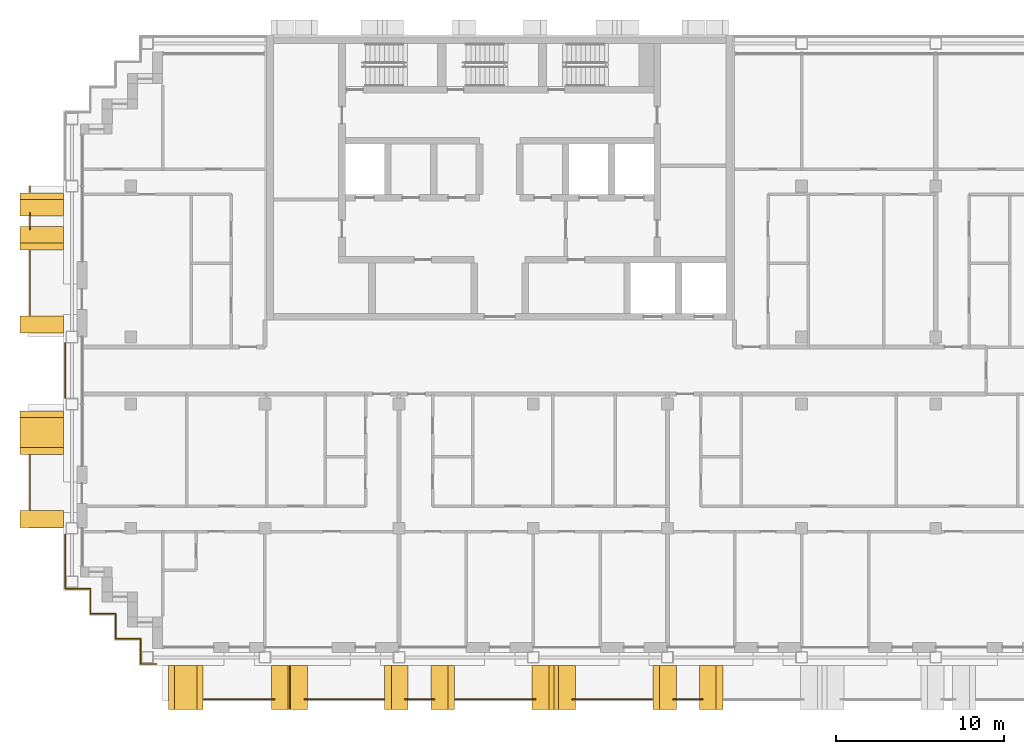
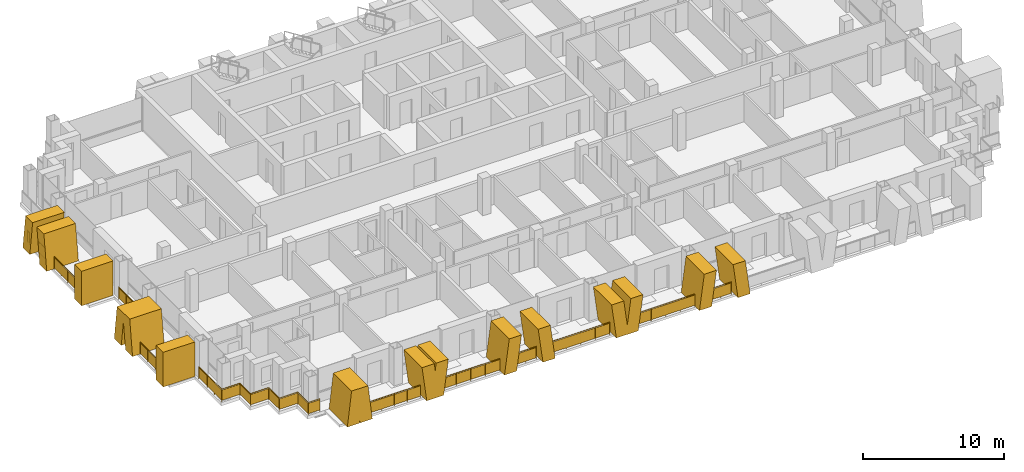
# One storey, part 13 of 16: 13 railings, 12 shading devices.
"""IFC4 building model written with IfcOpenShell, lengths in metres."""

from ifc_helpers import new_model, si_unit, direction, frame, origin, origin_2d, place, context, subcontext, project, spatial, polyline, rectangle, circle, outline, extrude, material, layer, layer_set, type_object, element, save


model = new_model("IFC4")

# Units and contexts
model_context = context("Model", 3, precision=1e-05, world=origin(), true_north=direction((0.0, 1.0)))
body_context = subcontext(model_context, "Body", "Model", "MODEL_VIEW")
ifc_project = project(units=[si_unit("LENGTHUNIT", "METRE"), si_unit("AREAUNIT", "SQUARE_METRE"), si_unit("VOLUMEUNIT", "CUBIC_METRE"), si_unit("PLANEANGLEUNIT", "RADIAN"), si_unit("MASSUNIT", "GRAM", prefix="KILO")], contexts=[model_context])

# Site, building, storey
site_placement = place(None, origin())
site = spatial("IfcSite", under=ifc_project, at=site_placement, CompositionType="ELEMENT")
building_placement = place(site_placement, origin())
building = spatial("IfcBuilding", under=site, at=building_placement, Name="Vidyagriha Tower", CompositionType="ELEMENT")
storey_placement = place(building_placement, frame((0.0, 0.0, 168.5)))
storey = spatial("IfcBuildingStorey", under=building, at=storey_placement, Name="L43", CompositionType="ELEMENT", Elevation=168.5)

# Railings
ifc_material_1 = material(Name="Steel ASTM A500 Grade C black painted", Category="steel")
railing_type_1 = type_object("IfcRailingType", Name="Balcony guard 1100", PredefinedType="BALUSTRADE", material=ifc_material_1)
railing_1_placement = place(storey_placement, frame((-28.0, 11.0, 0.0)))
element("IfcRailing", 1, at=railing_1_placement, inside=storey, type_object=railing_type_1, Name="Balcony guard L43 R16.1-1", PredefinedType="BALUSTRADE", context=body_context, shape_type="SweptSolid", body=[
    extrude(circle(Radius=0.02490234375, at=origin_2d()), frame((0.0, 0.0, 1.0751953125), z_axis=(0.0, -1.0, 0.0), x_axis=(1.0, 0.0, 0.0)), (0.0, 0.0, 1.0), 0.35009765625),
    extrude(circle(Radius=0.02001953125, at=origin_2d()), origin(), (0.0, 0.0, 1.0), 1.050048828125),
    extrude(circle(Radius=0.02001953125, at=origin_2d()), frame((0.0, -0.35009765625, 0.0)), (0.0, 0.0, 1.0), 1.050048828125),
    extrude(rectangle(XDim=0.010009765625, YDim=0.900146484375, at=origin_2d()), frame((0.0, 0.0, 0.550048828125), z_axis=(0.0, -1.0, 0.0), x_axis=(1.0, 0.0, 0.0)), (0.0, 0.0, 1.0), 0.35009765625),
])
railing_2_placement = place(storey_placement, frame((-28.0, 9.396728515625, 0.0)))
element("IfcRailing", 2, at=railing_2_placement, inside=storey, type_object=railing_type_1, Name="Balcony guard L43 R16.1-2", PredefinedType="BALUSTRADE", context=body_context, shape_type="SweptSolid", body=[
    extrude(circle(Radius=0.02490234375, at=origin_2d()), frame((0.0, 0.0, 1.0751953125), z_axis=(0.0, -1.0, 0.0), x_axis=(1.0, 0.0, 0.0)), (0.0, 0.0, 1.0), 0.993408203125),
    extrude(circle(Radius=0.02001953125, at=origin_2d()), origin(), (0.0, 0.0, 1.0), 1.050048828125),
    extrude(circle(Radius=0.02001953125, at=origin_2d()), frame((0.0, -0.993408203125, 0.0)), (0.0, 0.0, 1.0), 1.050048828125),
    extrude(rectangle(XDim=0.010009765625, YDim=0.900146484375, at=origin_2d()), frame((0.0, 0.0, 0.550048828125), z_axis=(0.0, -1.0, 0.0), x_axis=(1.0, 0.0, 0.0)), (0.0, 0.0, 1.0), 0.993408203125),
])
railing_3_placement = place(storey_placement, frame((-28.0, 7.14990234375, 0.0)))
element("IfcRailing", 3, at=railing_3_placement, inside=storey, type_object=railing_type_1, Name="Balcony guard L43 R16.1-3", PredefinedType="BALUSTRADE", context=body_context, shape_type="SweptSolid", body=[
    extrude(circle(Radius=0.02490234375, at=origin_2d()), frame((0.0, 0.0, 1.0751953125), z_axis=(0.0, -1.0, 0.0), x_axis=(1.0, 0.0, 0.0)), (0.0, 0.0, 1.0), 3.849853515625),
    extrude(circle(Radius=0.02001953125, at=origin_2d()), origin(), (0.0, 0.0, 1.0), 1.050048828125),
    extrude(circle(Radius=0.02001953125, at=origin_2d()), frame((0.0, -0.96240234375, 0.0)), (0.0, 0.0, 1.0), 1.050048828125),
    extrude(circle(Radius=0.02001953125, at=origin_2d()), frame((0.0, -1.9248046875, 0.0)), (0.0, 0.0, 1.0), 1.050048828125),
    extrude(circle(Radius=0.02001953125, at=origin_2d()), frame((0.0, -2.887451171875, 0.0)), (0.0, 0.0, 1.0), 1.050048828125),
    extrude(circle(Radius=0.02001953125, at=origin_2d()), frame((0.0, -3.849853515625, 0.0)), (0.0, 0.0, 1.0), 1.050048828125),
    extrude(rectangle(XDim=0.010009765625, YDim=0.900146484375, at=origin_2d()), frame((0.0, 0.0, 0.550048828125), z_axis=(0.0, -1.0, 0.0), x_axis=(1.0, 0.0, 0.0)), (0.0, 0.0, 1.0), 3.849853515625),
])
railing_4_placement = place(storey_placement, frame((-28.0, -5.050048828125, 0.0)))
element("IfcRailing", 4, at=railing_4_placement, inside=storey, type_object=railing_type_1, Name="Balcony guard L43 R16.2-1", PredefinedType="BALUSTRADE", context=body_context, shape_type="SweptSolid", body=[
    extrude(circle(Radius=0.02490234375, at=origin_2d()), frame((0.0, 0.0, 1.0751953125), z_axis=(0.0, -1.0, 0.0), x_axis=(1.0, 0.0, 0.0)), (0.0, 0.0, 1.0), 3.25),
    extrude(circle(Radius=0.02001953125, at=origin_2d()), origin(), (0.0, 0.0, 1.0), 1.050048828125),
    extrude(circle(Radius=0.02001953125, at=origin_2d()), frame((0.0, -1.083251953125, 0.0)), (0.0, 0.0, 1.0), 1.050048828125),
    extrude(circle(Radius=0.02001953125, at=origin_2d()), frame((0.0, -2.166748046875, 0.0)), (0.0, 0.0, 1.0), 1.050048828125),
    extrude(circle(Radius=0.02001953125, at=origin_2d()), frame((0.0, -3.25, 0.0)), (0.0, 0.0, 1.0), 1.050048828125),
    extrude(rectangle(XDim=0.010009765625, YDim=0.900146484375, at=origin_2d()), frame((0.0, 0.0, 0.550048828125), z_axis=(0.0, -1.0, 0.0), x_axis=(1.0, 0.0, 0.0)), (0.0, 0.0, 1.0), 3.25),
])
railing_5_placement = place(storey_placement, frame((-17.64990234375, -19.60009765625, 0.0)))
element("IfcRailing", 5, at=railing_5_placement, inside=storey, type_object=railing_type_1, Name="Balcony guard L43 R23.1-1", PredefinedType="BALUSTRADE", context=body_context, shape_type="SweptSolid", body=[
    extrude(circle(Radius=0.02490234375, at=origin_2d()), frame((0.0, 0.0, 1.0751953125), z_axis=(1.0, 0.0, 0.0), x_axis=(0.0, 1.0, 0.0)), (0.0, 0.0, 1.0), 4.22119140625),
    extrude(circle(Radius=0.02001953125, at=origin_2d()), origin(), (0.0, 0.0, 1.0), 1.050048828125),
    extrude(circle(Radius=0.02001953125, at=origin_2d()), frame((1.05517578125, 0.0, 0.0)), (0.0, 0.0, 1.0), 1.050048828125),
    extrude(circle(Radius=0.02001953125, at=origin_2d()), frame((2.110595703125, 0.0, 0.0)), (0.0, 0.0, 1.0), 1.050048828125),
    extrude(circle(Radius=0.02001953125, at=origin_2d()), frame((3.166015625, 0.0, 0.0)), (0.0, 0.0, 1.0), 1.050048828125),
    extrude(circle(Radius=0.02001953125, at=origin_2d()), frame((4.22119140625, 0.0, 0.0)), (0.0, 0.0, 1.0), 1.050048828125),
    extrude(rectangle(XDim=0.010009765625, YDim=0.900146484375, at=origin_2d()), frame((0.0, 0.0, 0.550048828125), z_axis=(1.0, 0.0, 0.0), x_axis=(0.0, 1.0, 0.0)), (0.0, 0.0, 1.0), 4.22119140625),
])
railing_6_placement = place(storey_placement, frame((-11.646484375, -19.60009765625, 0.0)))
element("IfcRailing", 6, at=railing_6_placement, inside=storey, type_object=railing_type_1, Name="Balcony guard L43 R23.1-2", PredefinedType="BALUSTRADE", context=body_context, shape_type="SweptSolid", body=[
    extrude(circle(Radius=0.02490234375, at=origin_2d()), frame((0.0, 0.0, 1.0751953125), z_axis=(1.0, 0.0, 0.0), x_axis=(0.0, 1.0, 0.0)), (0.0, 0.0, 1.0), 4.741455078125),
    extrude(circle(Radius=0.02001953125, at=origin_2d()), origin(), (0.0, 0.0, 1.0), 1.050048828125),
    extrude(circle(Radius=0.02001953125, at=origin_2d()), frame((1.185302734375, 0.0, 0.0)), (0.0, 0.0, 1.0), 1.050048828125),
    extrude(circle(Radius=0.02001953125, at=origin_2d()), frame((2.37060546875, 0.0, 0.0)), (0.0, 0.0, 1.0), 1.050048828125),
    extrude(circle(Radius=0.02001953125, at=origin_2d()), frame((3.55615234375, 0.0, 0.0)), (0.0, 0.0, 1.0), 1.050048828125),
    extrude(circle(Radius=0.02001953125, at=origin_2d()), frame((4.741455078125, 0.0, 0.0)), (0.0, 0.0, 1.0), 1.050048828125),
    extrude(rectangle(XDim=0.010009765625, YDim=0.900146484375, at=origin_2d()), frame((0.0, 0.0, 0.550048828125), z_axis=(1.0, 0.0, 0.0), x_axis=(0.0, 1.0, 0.0)), (0.0, 0.0, 1.0), 4.741455078125),
])
railing_7_placement = place(storey_placement, frame((-5.653564453125, -19.60009765625, 0.0)))
element("IfcRailing", 7, at=railing_7_placement, inside=storey, type_object=railing_type_1, Name="Balcony guard L43 R23.1-3", PredefinedType="BALUSTRADE", context=body_context, shape_type="SweptSolid", body=[
    extrude(circle(Radius=0.02490234375, at=origin_2d()), frame((0.0, 0.0, 1.0751953125), z_axis=(1.0, 0.0, 0.0), x_axis=(0.0, 1.0, 0.0)), (0.0, 0.0, 1.0), 1.757080078125),
    extrude(circle(Radius=0.02001953125, at=origin_2d()), origin(), (0.0, 0.0, 1.0), 1.050048828125),
    extrude(circle(Radius=0.02001953125, at=origin_2d()), frame((0.87841796875, 0.0, 0.0)), (0.0, 0.0, 1.0), 1.050048828125),
    extrude(circle(Radius=0.02001953125, at=origin_2d()), frame((1.757080078125, 0.0, 0.0)), (0.0, 0.0, 1.0), 1.050048828125),
    extrude(rectangle(XDim=0.010009765625, YDim=0.900146484375, at=origin_2d()), frame((0.0, 0.0, 0.550048828125), z_axis=(1.0, 0.0, 0.0), x_axis=(0.0, 1.0, 0.0)), (0.0, 0.0, 1.0), 1.757080078125),
])
railing_8_placement = place(storey_placement, frame((-2.64501953125, -19.60009765625, 0.0)))
element("IfcRailing", 8, at=railing_8_placement, inside=storey, type_object=railing_type_1, Name="Balcony guard L43 R23.1-4", PredefinedType="BALUSTRADE", context=body_context, shape_type="SweptSolid", body=[
    extrude(circle(Radius=0.02490234375, at=origin_2d()), frame((0.0, 0.0, 1.0751953125), z_axis=(1.0, 0.0, 0.0), x_axis=(0.0, 1.0, 0.0)), (0.0, 0.0, 1.0), 4.773681640625),
    extrude(circle(Radius=0.02001953125, at=origin_2d()), origin(), (0.0, 0.0, 1.0), 1.050048828125),
    extrude(circle(Radius=0.02001953125, at=origin_2d()), frame((1.193359375, 0.0, 0.0)), (0.0, 0.0, 1.0), 1.050048828125),
    extrude(circle(Radius=0.02001953125, at=origin_2d()), frame((2.38671875, 0.0, 0.0)), (0.0, 0.0, 1.0), 1.050048828125),
    extrude(circle(Radius=0.02001953125, at=origin_2d()), frame((3.580322265625, 0.0, 0.0)), (0.0, 0.0, 1.0), 1.050048828125),
    extrude(circle(Radius=0.02001953125, at=origin_2d()), frame((4.773681640625, 0.0, 0.0)), (0.0, 0.0, 1.0), 1.050048828125),
    extrude(rectangle(XDim=0.010009765625, YDim=0.900146484375, at=origin_2d()), frame((0.0, 0.0, 0.550048828125), z_axis=(1.0, 0.0, 0.0), x_axis=(0.0, 1.0, 0.0)), (0.0, 0.0, 1.0), 4.773681640625),
])
railing_9_placement = place(storey_placement, frame((4.321533203125, -19.60009765625, 0.0)))
element("IfcRailing", 9, at=railing_9_placement, inside=storey, type_object=railing_type_1, Name="Balcony guard L43 R23.1-5", PredefinedType="BALUSTRADE", context=body_context, shape_type="SweptSolid", body=[
    extrude(circle(Radius=0.02490234375, at=origin_2d()), frame((0.0, 0.0, 1.0751953125), z_axis=(1.0, 0.0, 0.0), x_axis=(0.0, 1.0, 0.0)), (0.0, 0.0, 1.0), 4.7734375),
    extrude(circle(Radius=0.02001953125, at=origin_2d()), origin(), (0.0, 0.0, 1.0), 1.050048828125),
    extrude(circle(Radius=0.02001953125, at=origin_2d()), frame((1.193359375, 0.0, 0.0)), (0.0, 0.0, 1.0), 1.050048828125),
    extrude(circle(Radius=0.02001953125, at=origin_2d()), frame((2.38671875, 0.0, 0.0)), (0.0, 0.0, 1.0), 1.050048828125),
    extrude(circle(Radius=0.02001953125, at=origin_2d()), frame((3.580078125, 0.0, 0.0)), (0.0, 0.0, 1.0), 1.050048828125),
    extrude(circle(Radius=0.02001953125, at=origin_2d()), frame((4.7734375, 0.0, 0.0)), (0.0, 0.0, 1.0), 1.050048828125),
    extrude(rectangle(XDim=0.010009765625, YDim=0.900146484375, at=origin_2d()), frame((0.0, 0.0, 0.550048828125), z_axis=(1.0, 0.0, 0.0), x_axis=(0.0, 1.0, 0.0)), (0.0, 0.0, 1.0), 4.7734375),
])
railing_10_placement = place(storey_placement, frame((10.346435546875, -19.60009765625, 0.0)))
element("IfcRailing", 10, at=railing_10_placement, inside=storey, type_object=railing_type_1, Name="Balcony guard L43 R23.1-6", PredefinedType="BALUSTRADE", context=body_context, shape_type="SweptSolid", body=[
    extrude(circle(Radius=0.02490234375, at=origin_2d()), frame((0.0, 0.0, 1.0751953125), z_axis=(1.0, 0.0, 0.0), x_axis=(0.0, 1.0, 0.0)), (0.0, 0.0, 1.0), 1.757080078125),
    extrude(circle(Radius=0.02001953125, at=origin_2d()), origin(), (0.0, 0.0, 1.0), 1.050048828125),
    extrude(circle(Radius=0.02001953125, at=origin_2d()), frame((0.87841796875, 0.0, 0.0)), (0.0, 0.0, 1.0), 1.050048828125),
    extrude(circle(Radius=0.02001953125, at=origin_2d()), frame((1.757080078125, 0.0, 0.0)), (0.0, 0.0, 1.0), 1.050048828125),
    extrude(rectangle(XDim=0.010009765625, YDim=0.900146484375, at=origin_2d()), frame((0.0, 0.0, 0.550048828125), z_axis=(1.0, 0.0, 0.0), x_axis=(0.0, 1.0, 0.0)), (0.0, 0.0, 1.0), 1.757080078125),
])

# Shading devices
ifc_material_2 = material(Name="Precast concrete C40/50 with buff brick facing", Category="concrete")
ifc_layer_1 = layer(ifc_material_2, 1.0)
ifc_layer_set_1 = layer_set([ifc_layer_1], Name="Precast concrete C40/50 with buff brick facing")
shading_device_type_1 = type_object("IfcShadingDeviceType", Name="Brick-faced blade fin arm leaning 8 degrees", PredefinedType="USERDEFINED", material=ifc_layer_set_1)
shading_device_1_placement = place(storey_placement, frame((-27.300048828125, 10.60009765625, 0.0), z_axis=(0.0, 0.0, 1.0), x_axis=(0.0, -1.0, 0.0)))
element("IfcShadingDevice", 11, at=shading_device_1_placement, inside=storey, type_object=shading_device_type_1, Name="Leaning blade fin L43 R16.310a", ObjectType="BLADE FIN", PredefinedType="USERDEFINED", context=body_context, shape_type="SweptSolid", body=[
    extrude(outline(polyline([(0.0, 0.0), (1.0, 0.0), (1.39990234375, 3.0), (0.39990234375, 3.0), (0.0, 0.0)])), frame((0.0, 1.300048828125, 0.0), z_axis=(0.0, -1.0, 0.0), x_axis=(1.0, 0.0, 0.0)), (0.0, 0.0, 1.0), 2.60009765625),
])
shading_device_2_placement = place(storey_placement, frame((-27.300048828125, 8.60009765625, 0.0), z_axis=(0.0, 0.0, 1.0), x_axis=(0.0, -1.0, 0.0)))
element("IfcShadingDevice", 12, at=shading_device_2_placement, inside=storey, type_object=shading_device_type_1, Name="Leaning blade fin L43 R16.310b", ObjectType="BLADE FIN", PredefinedType="USERDEFINED", context=body_context, shape_type="SweptSolid", body=[
    extrude(outline(polyline([(0.39990234375, 0.0), (1.39990234375, 0.0), (1.0, 3.0), (0.0, 3.0), (0.39990234375, 0.0)])), frame((0.0, 1.300048828125, 0.0), z_axis=(0.0, -1.0, 0.0), x_axis=(1.0, 0.0, 0.0)), (0.0, 0.0, 1.0), 2.60009765625),
])
shading_device_3_placement = place(storey_placement, frame((-6.85498046875, -18.89990234375, 0.0)))
element("IfcShadingDevice", 13, at=shading_device_3_placement, inside=storey, type_object=shading_device_type_1, Name="Leaning blade fin L43 R23.1410a", ObjectType="BLADE FIN", PredefinedType="USERDEFINED", context=body_context, shape_type="SweptSolid", body=[
    extrude(outline(polyline([(0.0, 0.0), (1.0, 0.0), (1.39501953125, 3.0), (0.39501953125, 3.0), (0.0, 0.0)])), frame((0.0, 1.300048828125, 0.0), z_axis=(0.0, -1.0, 0.0), x_axis=(1.0, 0.0, 0.0)), (0.0, 0.0, 1.0), 2.60009765625),
])
shading_device_4_placement = place(storey_placement, frame((-4.090087890625, -18.89990234375, 0.0)))
element("IfcShadingDevice", 14, at=shading_device_4_placement, inside=storey, type_object=shading_device_type_1, Name="Leaning blade fin L43 R23.1410b", ObjectType="BLADE FIN", PredefinedType="USERDEFINED", context=body_context, shape_type="SweptSolid", body=[
    extrude(outline(polyline([(0.39501953125, 0.0), (1.39501953125, 0.0), (1.0, 3.0), (0.0, 3.0), (0.39501953125, 0.0)])), frame((0.0, 1.300048828125, 0.0), z_axis=(0.0, -1.0, 0.0), x_axis=(1.0, 0.0, 0.0)), (0.0, 0.0, 1.0), 2.60009765625),
])
shading_device_5_placement = place(storey_placement, frame((9.14501953125, -18.89990234375, 0.0)))
element("IfcShadingDevice", 15, at=shading_device_5_placement, inside=storey, type_object=shading_device_type_1, Name="Leaning blade fin L43 R23.3010a", ObjectType="BLADE FIN", PredefinedType="USERDEFINED", context=body_context, shape_type="SweptSolid", body=[
    extrude(outline(polyline([(0.0, 0.0), (1.0, 0.0), (1.39501953125, 3.0), (0.39501953125, 3.0), (0.0, 0.0)])), frame((0.0, 1.300048828125, 0.0), z_axis=(0.0, -1.0, 0.0), x_axis=(1.0, 0.0, 0.0)), (0.0, 0.0, 1.0), 2.60009765625),
])
shading_device_6_placement = place(storey_placement, frame((11.909912109375, -18.89990234375, 0.0)))
element("IfcShadingDevice", 16, at=shading_device_6_placement, inside=storey, type_object=shading_device_type_1, Name="Leaning blade fin L43 R23.3010b", ObjectType="BLADE FIN", PredefinedType="USERDEFINED", context=body_context, shape_type="SweptSolid", body=[
    extrude(outline(polyline([(0.39501953125, 0.0), (1.39501953125, 0.0), (1.0, 3.0), (0.0, 3.0), (0.39501953125, 0.0)])), frame((0.0, 1.300048828125, 0.0), z_axis=(0.0, -1.0, 0.0), x_axis=(1.0, 0.0, 0.0)), (0.0, 0.0, 1.0), 2.60009765625),
])
ifc_material_3 = material(Name="Precast concrete C40/50 with buff brick facing", Category="concrete")
ifc_layer_2 = layer(ifc_material_3, 1.0)
ifc_layer_set_2 = layer_set([ifc_layer_2], Name="Precast concrete C40/50 with buff brick facing")
shading_device_type_2 = type_object("IfcShadingDeviceType", Name="Brick-faced blade fin forking 8 degrees", PredefinedType="USERDEFINED", material=ifc_layer_set_2)
shading_device_7_placement = place(storey_placement, frame((-27.300048828125, -2.39990234375, 0.0), z_axis=(0.0, 0.0, 1.0), x_axis=(0.0, -1.0, 0.0)))
element("IfcShadingDevice", 17, at=shading_device_7_placement, inside=storey, type_object=shading_device_type_2, Name="Forked blade fin L43 R16.1610a", ObjectType="BLADE FIN", PredefinedType="USERDEFINED", context=body_context, shape_type="SweptSolid", body=[
    extrude(outline(polyline([(1.0, 0.0), (1.300048828125, 2.25), (1.60009765625, 0.0), (2.60009765625, 0.0), (2.199951171875, 3.0), (0.39990234375, 3.0), (0.0, 0.0), (1.0, 0.0)])), frame((0.0, 1.300048828125, 0.0), z_axis=(0.0, -1.0, 0.0), x_axis=(1.0, 0.0, 0.0)), (0.0, 0.0, 1.0), 2.60009765625),
])
shading_device_8_placement = place(storey_placement, frame((-19.75, -18.89990234375, 0.0)))
element("IfcShadingDevice", 18, at=shading_device_8_placement, inside=storey, type_object=shading_device_type_2, Name="Forked blade fin L43 R23.0a", ObjectType="BLADE FIN", PredefinedType="USERDEFINED", context=body_context, shape_type="SweptSolid", body=[
    extrude(outline(polyline([(1.0, 0.0), (1.02490234375, 0.21435546875), (1.050048828125, 0.0), (2.050048828125, 0.0), (1.699951171875, 3.0), (0.35009765625, 3.0), (0.0, 0.0), (1.0, 0.0)])), frame((0.0, 1.300048828125, 0.0), z_axis=(0.0, -1.0, 0.0), x_axis=(1.0, 0.0, 0.0)), (0.0, 0.0, 1.0), 2.60009765625),
])
shading_device_9_placement = place(storey_placement, frame((-13.61669921875, -18.89990234375, 0.0)))
element("IfcShadingDevice", 19, at=shading_device_9_placement, inside=storey, type_object=shading_device_type_2, Name="Forked blade fin L43 R23.610a", ObjectType="BLADE FIN", PredefinedType="USERDEFINED", context=body_context, shape_type="SweptSolid", body=[
    extrude(outline(polyline([(0.385986328125, 0.0), (1.772216796875, 0.0), (2.158447265625, 3.0), (1.158447265625, 3.0), (1.0791015625, 2.385009765625), (1.0, 3.0), (0.0, 3.0), (0.385986328125, 0.0)])), frame((0.0, 1.300048828125, 0.0), z_axis=(0.0, -1.0, 0.0), x_axis=(1.0, 0.0, 0.0)), (0.0, 0.0, 1.0), 2.60009765625),
])
shading_device_10_placement = place(storey_placement, frame((1.93505859375, -18.89990234375, 0.0)))
element("IfcShadingDevice", 20, at=shading_device_10_placement, inside=storey, type_object=shading_device_type_2, Name="Forked blade fin L43 R23.2210a", ObjectType="BLADE FIN", PredefinedType="USERDEFINED", context=body_context, shape_type="SweptSolid", body=[
    extrude(outline(polyline([(0.39501953125, 0.0), (2.18505859375, 0.0), (2.580078125, 3.0), (1.580078125, 3.0), (1.2900390625, 0.797607421875), (1.0, 3.0), (0.0, 3.0), (0.39501953125, 0.0)])), frame((0.0, 1.300048828125, 0.0), z_axis=(0.0, -1.0, 0.0), x_axis=(1.0, 0.0, 0.0)), (0.0, 0.0, 1.0), 2.60009765625),
])
ifc_material_4 = material(Name="Precast concrete C40/50 with buff brick facing", Category="concrete")
ifc_layer_3 = layer(ifc_material_4, 1.0)
ifc_layer_set_3 = layer_set([ifc_layer_3], Name="Precast concrete C40/50 with buff brick facing")
shading_device_type_3 = type_object("IfcShadingDeviceType", Name="Brick-faced blade fin stem 1000", PredefinedType="USERDEFINED", material=ifc_layer_set_3)
for number, where, z_axis, x_axis, name in (
    (21, (-27.300048828125, 3.25, 0.0), (0.0, 0.0, 1.0), (0.0, -1.0, 0.0), "Stem blade fin L43 R16.1210a"),
    (22, (-27.300048828125, -8.35009765625, 0.0), (0.0, 0.0, 1.0), (0.0, -1.0, 0.0), "Stem blade fin L43 R16.2350a"),
):
    element("IfcShadingDevice", number, at=place(storey_placement, frame(where, z_axis=z_axis, x_axis=x_axis)), inside=storey, type_object=shading_device_type_3, Name=name, ObjectType="BLADE FIN", PredefinedType="USERDEFINED", context=body_context, shape_type="SweptSolid", body=[
        extrude(outline(polyline([(0.0, 0.0), (1.0, 0.0), (1.0, 3.0), (0.0, 3.0), (0.0, 0.0)])), frame((0.0, 1.300048828125, 0.0), z_axis=(0.0, -1.0, 0.0), x_axis=(1.0, 0.0, 0.0)), (0.0, 0.0, 1.0), 2.60009765625),
    ])

# Railings
ifc_material_5 = material(Name="Steel ASTM A500 Grade C black painted", Category="steel")
railing_type_2 = type_object("IfcRailingType", Name="Gallery guard 1100", PredefinedType="GUARDRAIL", material=ifc_material_5)
railing_11_placement = place(storey_placement, frame((-20.4599609375, -17.5, 0.0)))
element("IfcRailing", 23, at=railing_11_placement, inside=storey, type_object=railing_type_2, Name="Gallery guard L43 1", PredefinedType="GUARDRAIL", context=body_context, shape_type="SweptSolid", body=[
    extrude(circle(Radius=0.02490234375, at=origin_2d()), frame((0.0, 0.0, 1.0751953125), z_axis=(-1.0, 0.0, 0.0), x_axis=(0.0, -1.0, 0.0)), (0.0, 0.0, 1.0), 0.93994140625),
    extrude(circle(Radius=0.02490234375, at=origin_2d()), frame((-0.93994140625, 0.0, 1.0751953125), z_axis=(0.0, 1.0, 0.0), x_axis=(-1.0, 0.0, 0.0)), (0.0, 0.0, 1.0), 1.5),
    extrude(circle(Radius=0.02490234375, at=origin_2d()), frame((-0.93994140625, 1.5, 1.0751953125), z_axis=(-1.0, 0.0, 0.0), x_axis=(0.0, -1.0, 0.0)), (0.0, 0.0, 1.0), 1.5),
    extrude(circle(Radius=0.02490234375, at=origin_2d()), frame((-2.43994140625, 1.5, 1.0751953125), z_axis=(0.0, 1.0, 0.0), x_axis=(-1.0, 0.0, 0.0)), (0.0, 0.0, 1.0), 1.5),
    extrude(circle(Radius=0.02490234375, at=origin_2d()), frame((-2.43994140625, 3.0, 1.0751953125), z_axis=(-1.0, 0.0, 0.0), x_axis=(0.0, -1.0, 0.0)), (0.0, 0.0, 1.0), 1.5),
    extrude(circle(Radius=0.02490234375, at=origin_2d()), frame((-3.93994140625, 3.0, 1.0751953125), z_axis=(0.0, 1.0, 0.0), x_axis=(-1.0, 0.0, 0.0)), (0.0, 0.0, 1.0), 1.5),
    extrude(circle(Radius=0.02490234375, at=origin_2d()), frame((-3.93994140625, 4.5, 1.0751953125), z_axis=(-1.0, 0.0, 0.0), x_axis=(0.0, -1.0, 0.0)), (0.0, 0.0, 1.0), 1.5),
    extrude(circle(Radius=0.02490234375, at=origin_2d()), frame((-5.43994140625, 4.5, 1.0751953125), z_axis=(0.0, 1.0, 0.0), x_axis=(-1.0, 0.0, 0.0)), (0.0, 0.0, 1.0), 2.06005859375),
    extrude(circle(Radius=0.02001953125, at=origin_2d()), origin(), (0.0, 0.0, 1.0), 1.050048828125),
    extrude(circle(Radius=0.02001953125, at=origin_2d()), frame((-0.93994140625, 0.0, 0.0)), (0.0, 0.0, 1.0), 1.050048828125),
    extrude(circle(Radius=0.02001953125, at=origin_2d()), frame((-0.93994140625, 1.5, 0.0)), (0.0, 0.0, 1.0), 1.050048828125),
    extrude(circle(Radius=0.02001953125, at=origin_2d()), frame((-2.43994140625, 1.5, 0.0)), (0.0, 0.0, 1.0), 1.050048828125),
    extrude(circle(Radius=0.02001953125, at=origin_2d()), frame((-2.43994140625, 3.0, 0.0)), (0.0, 0.0, 1.0), 1.050048828125),
    extrude(circle(Radius=0.02001953125, at=origin_2d()), frame((-3.93994140625, 3.0, 0.0)), (0.0, 0.0, 1.0), 1.050048828125),
    extrude(circle(Radius=0.02001953125, at=origin_2d()), frame((-3.93994140625, 4.5, 0.0)), (0.0, 0.0, 1.0), 1.050048828125),
    extrude(circle(Radius=0.02001953125, at=origin_2d()), frame((-5.43994140625, 4.5, 0.0)), (0.0, 0.0, 1.0), 1.050048828125),
    extrude(circle(Radius=0.02001953125, at=origin_2d()), frame((-5.43994140625, 5.530029296875, 0.0)), (0.0, 0.0, 1.0), 1.050048828125),
    extrude(circle(Radius=0.02001953125, at=origin_2d()), frame((-5.43994140625, 6.56005859375, 0.0)), (0.0, 0.0, 1.0), 1.050048828125),
    extrude(rectangle(XDim=0.010009765625, YDim=0.900146484375, at=origin_2d()), frame((0.0, 0.0, 0.550048828125), z_axis=(-1.0, 0.0, 0.0), x_axis=(0.0, -1.0, 0.0)), (0.0, 0.0, 1.0), 0.93994140625),
    extrude(rectangle(XDim=0.010009765625, YDim=0.900146484375, at=origin_2d()), frame((-0.93994140625, 0.0, 0.550048828125), z_axis=(0.0, 1.0, 0.0), x_axis=(-1.0, 0.0, 0.0)), (0.0, 0.0, 1.0), 1.5),
    extrude(rectangle(XDim=0.010009765625, YDim=0.900146484375, at=origin_2d()), frame((-0.93994140625, 1.5, 0.550048828125), z_axis=(-1.0, 0.0, 0.0), x_axis=(0.0, -1.0, 0.0)), (0.0, 0.0, 1.0), 1.5),
    extrude(rectangle(XDim=0.010009765625, YDim=0.900146484375, at=origin_2d()), frame((-2.43994140625, 1.5, 0.550048828125), z_axis=(0.0, 1.0, 0.0), x_axis=(-1.0, 0.0, 0.0)), (0.0, 0.0, 1.0), 1.5),
    extrude(rectangle(XDim=0.010009765625, YDim=0.900146484375, at=origin_2d()), frame((-2.43994140625, 3.0, 0.550048828125), z_axis=(-1.0, 0.0, 0.0), x_axis=(0.0, -1.0, 0.0)), (0.0, 0.0, 1.0), 1.5),
    extrude(rectangle(XDim=0.010009765625, YDim=0.900146484375, at=origin_2d()), frame((-3.93994140625, 3.0, 0.550048828125), z_axis=(0.0, 1.0, 0.0), x_axis=(-1.0, 0.0, 0.0)), (0.0, 0.0, 1.0), 1.5),
    extrude(rectangle(XDim=0.010009765625, YDim=0.900146484375, at=origin_2d()), frame((-3.93994140625, 4.5, 0.550048828125), z_axis=(-1.0, 0.0, 0.0), x_axis=(0.0, -1.0, 0.0)), (0.0, 0.0, 1.0), 1.5),
    extrude(rectangle(XDim=0.010009765625, YDim=0.900146484375, at=origin_2d()), frame((-5.43994140625, 4.5, 0.550048828125), z_axis=(0.0, 1.0, 0.0), x_axis=(-1.0, 0.0, 0.0)), (0.0, 0.0, 1.0), 2.06005859375),
])
railing_12_placement = place(storey_placement, frame((-25.89990234375, -10.93994140625, 0.0)))
element("IfcRailing", 24, at=railing_12_placement, inside=storey, type_object=railing_type_2, Name="Gallery guard L43 2", PredefinedType="GUARDRAIL", context=body_context, shape_type="SweptSolid", body=[
    extrude(circle(Radius=0.02490234375, at=origin_2d()), frame((0.0, 0.0, 1.0751953125), z_axis=(0.0, 1.0, 0.0), x_axis=(-1.0, 0.0, 0.0)), (0.0, 0.0, 1.0), 1.179931640625),
    extrude(circle(Radius=0.02001953125, at=origin_2d()), origin(), (0.0, 0.0, 1.0), 1.050048828125),
    extrude(circle(Radius=0.02001953125, at=origin_2d()), frame((0.0, 1.179931640625, 0.0)), (0.0, 0.0, 1.0), 1.050048828125),
    extrude(rectangle(XDim=0.010009765625, YDim=0.900146484375, at=origin_2d()), frame((0.0, 0.0, 0.550048828125), z_axis=(0.0, 1.0, 0.0), x_axis=(-1.0, 0.0, 0.0)), (0.0, 0.0, 1.0), 1.179931640625),
])
railing_13_placement = place(storey_placement, frame((-25.89990234375, -1.639892578125, 0.0)))
element("IfcRailing", 25, at=railing_13_placement, inside=storey, type_object=railing_type_2, Name="Gallery guard L43 3", PredefinedType="GUARDRAIL", context=body_context, shape_type="SweptSolid", body=[
    extrude(circle(Radius=0.02490234375, at=origin_2d()), frame((0.0, 0.0, 1.0751953125), z_axis=(0.0, 1.0, 0.0), x_axis=(-1.0, 0.0, 0.0)), (0.0, 0.0, 1.0), 3.27978515625),
    extrude(circle(Radius=0.02001953125, at=origin_2d()), origin(), (0.0, 0.0, 1.0), 1.050048828125),
    extrude(circle(Radius=0.02001953125, at=origin_2d()), frame((0.0, 1.09326171875, 0.0)), (0.0, 0.0, 1.0), 1.050048828125),
    extrude(circle(Radius=0.02001953125, at=origin_2d()), frame((0.0, 2.1865234375, 0.0)), (0.0, 0.0, 1.0), 1.050048828125),
    extrude(circle(Radius=0.02001953125, at=origin_2d()), frame((0.0, 3.27978515625, 0.0)), (0.0, 0.0, 1.0), 1.050048828125),
    extrude(rectangle(XDim=0.010009765625, YDim=0.900146484375, at=origin_2d()), frame((0.0, 0.0, 0.550048828125), z_axis=(0.0, 1.0, 0.0), x_axis=(-1.0, 0.0, 0.0)), (0.0, 0.0, 1.0), 3.27978515625),
])

save(model, "model.ifc")
